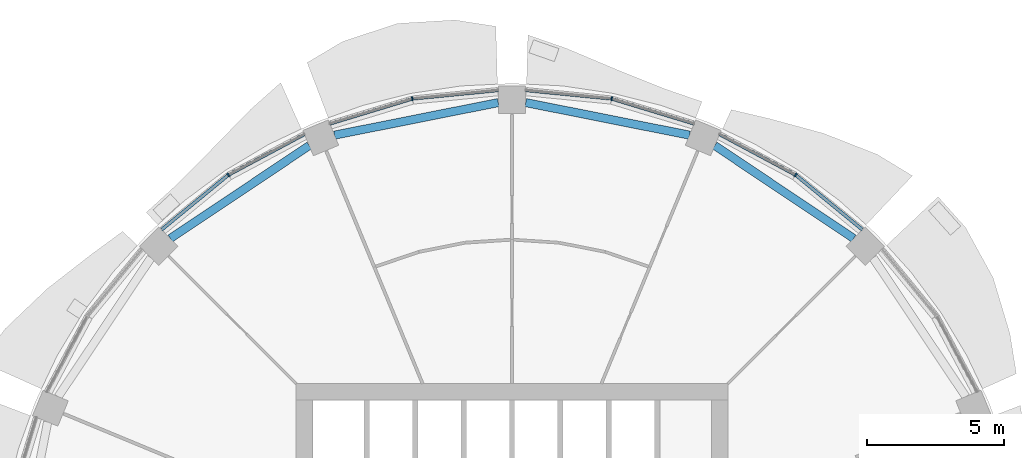
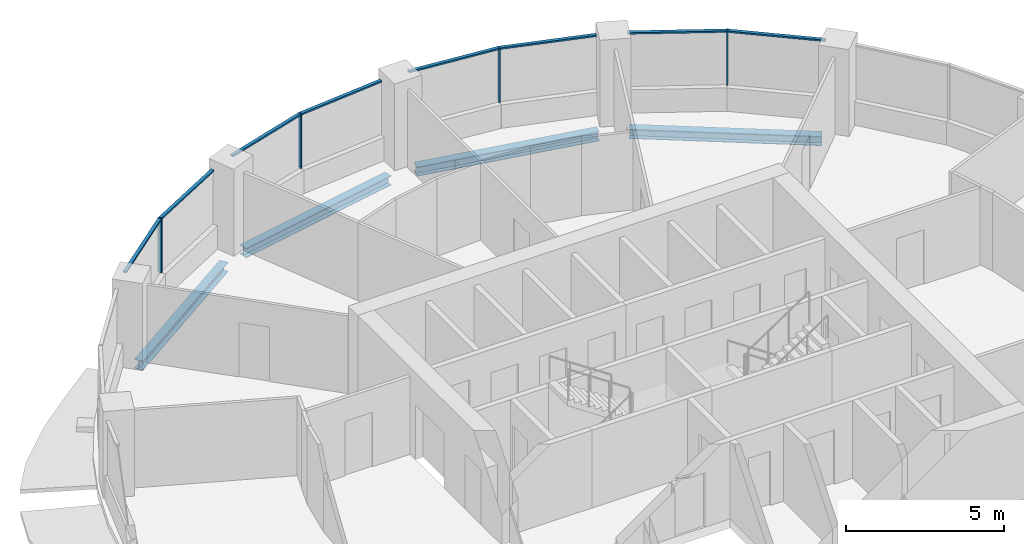
# One storey, part 6 of 15: 12 members, 4 beams, 4 elements without a shape of their own.
"""IFC4 building model written with IfcOpenShell, lengths in metres."""

from ifc_helpers import new_model, si_unit, direction, frame, origin, origin_2d, place, context, subcontext, project, spatial, rectangle, i_section, extrude, material, material_profile, profile_set, type_object, element, aggregate, save


model = new_model("IFC4")

# Units and contexts
model_context = context("Model", 3, precision=1e-05, world=origin(), true_north=direction((0.0, 1.0)))
body_context = subcontext(model_context, "Body", "Model", "MODEL_VIEW")
ifc_project = project(units=[si_unit("LENGTHUNIT", "METRE"), si_unit("AREAUNIT", "SQUARE_METRE"), si_unit("VOLUMEUNIT", "CUBIC_METRE"), si_unit("PLANEANGLEUNIT", "RADIAN"), si_unit("MASSUNIT", "GRAM", prefix="KILO")], contexts=[model_context])

# Site, building, storey
site_placement = place(None, origin())
site = spatial("IfcSite", under=ifc_project, at=site_placement, CompositionType="ELEMENT")
building_placement = place(site_placement, origin())
building = spatial("IfcBuilding", under=site, at=building_placement, Name="Polderwave Tower", CompositionType="ELEMENT")
storey_placement = place(building_placement, frame((0.0, 0.0, 157.800048828125)))
storey = spatial("IfcBuildingStorey", under=building, at=storey_placement, Name="L42", CompositionType="ELEMENT", Elevation=157.800048828125)

# Curtain wall, member
ifc_material_1 = material(Name="Aluminium 6063-T6 and glass", Category="aluminium")
curtain_wall_type = type_object("IfcCurtainWallType", Name="Office ribbon glazing wall", PredefinedType="NOTDEFINED", material=ifc_material_1)
curtain_wall_1_placement = place(storey_placement, origin())
curtain_wall_1 = element("IfcCurtainWall", 1, at=curtain_wall_1_placement, inside=storey, type_object=curtain_wall_type, Name="CW3 L42 02", PredefinedType="NOTDEFINED")
ifc_material_2 = material(Name="Aluminium 6063-T6", Category="aluminium")
ifc_material_profile_1 = material_profile(ifc_material_2, rectangle(XDim=0.139892578125, YDim=0.054931640625, at=origin_2d()), Name="AL 55x140")
ifc_profile_set_1 = profile_set([ifc_material_profile_1], Name="Aluminium 6063-T6")
member_type_1 = type_object("IfcMemberType", Name="Office ribbon glazing mullion 55x140", PredefinedType="MULLION", material=ifc_profile_set_1)
member_1_placement = place(storey_placement, frame((10.35009765625, 15.489990234375, 0.89990234375), z_axis=(0.0, 0.0, 1.0), x_axis=(-0.555548465006, -0.831484156812, 0.0)))
member_1 = element("IfcMember", 2, at=member_1_placement, type_object=member_type_1, Name="CW3 mullion 1", PredefinedType="MULLION", context=body_context, shape_type="SweptSolid", body=[
    extrude(rectangle(XDim=0.139892578125, YDim=0.054931640625, at=origin_2d()), origin(), (0.0, 0.0, 1.0), 2.10009765625),
])

curtain_wall_2_placement = place(storey_placement, origin())
curtain_wall_2 = element("IfcCurtainWall", 3, at=curtain_wall_2_placement, inside=storey, type_object=curtain_wall_type, Name="CW3 L42 03", PredefinedType="NOTDEFINED")
member_2_placement = place(storey_placement, frame((3.635009765625, 18.27197265625, 0.89990234375), z_axis=(0.0, 0.0, 1.0), x_axis=(-0.195083474838, -0.980786642367, 0.0)))
member_2 = element("IfcMember", 4, at=member_2_placement, type_object=member_type_1, Name="CW3 mullion 1", PredefinedType="MULLION", context=body_context, shape_type="SweptSolid", body=[
    extrude(rectangle(XDim=0.139892578125, YDim=0.054931640625, at=origin_2d()), origin(), (0.0, 0.0, 1.0), 2.10009765625),
])

curtain_wall_3_placement = place(storey_placement, origin())
curtain_wall_3 = element("IfcCurtainWall", 5, at=curtain_wall_3_placement, inside=storey, type_object=curtain_wall_type, Name="CW3 L42 04", PredefinedType="NOTDEFINED")
member_3_placement = place(storey_placement, frame((-3.635009765625, 18.27197265625, 0.89990234375), z_axis=(0.0, 0.0, 1.0), x_axis=(0.195083474838, -0.980786642367, 0.0)))
member_3 = element("IfcMember", 6, at=member_3_placement, type_object=member_type_1, Name="CW3 mullion 1", PredefinedType="MULLION", context=body_context, shape_type="SweptSolid", body=[
    extrude(rectangle(XDim=0.139892578125, YDim=0.054931640625, at=origin_2d()), origin(), (0.0, 0.0, 1.0), 2.10009765625),
])

curtain_wall_4_placement = place(storey_placement, origin())
curtain_wall_4 = element("IfcCurtainWall", 7, at=curtain_wall_4_placement, inside=storey, type_object=curtain_wall_type, Name="CW3 L42 05", PredefinedType="NOTDEFINED")
member_4_placement = place(storey_placement, frame((-10.35009765625, 15.489990234375, 0.89990234375), z_axis=(0.0, 0.0, 1.0), x_axis=(0.555548465006, -0.831484156812, 0.0)))
member_4 = element("IfcMember", 8, at=member_4_placement, type_object=member_type_1, Name="CW3 mullion 1", PredefinedType="MULLION", context=body_context, shape_type="SweptSolid", body=[
    extrude(rectangle(XDim=0.139892578125, YDim=0.054931640625, at=origin_2d()), origin(), (0.0, 0.0, 1.0), 2.10009765625),
])

# Member
ifc_material_profile_2 = material_profile(ifc_material_2, rectangle(XDim=0.1201171875, YDim=0.06005859375, at=origin_2d()), Name="AL 60x120")
ifc_profile_set_2 = profile_set([ifc_material_profile_2], Name="Aluminium 6063-T6")
member_type_2 = type_object("IfcMemberType", Name="Office ribbon glazing transom 60x120", PredefinedType="USERDEFINED", material=ifc_profile_set_2)
member_5_placement = place(storey_placement, frame((12.784912109375, 13.491943359375, 2.969970703125), z_axis=(-0.773019292913, 0.634382512988, 0.0), x_axis=(-0.634382512988, -0.773019292913, 0.0)))
member_5 = element("IfcMember", 9, at=member_5_placement, type_object=member_type_2, Name="CW3 transom 1", ObjectType="TRANSOM", PredefinedType="USERDEFINED", context=body_context, shape_type="SweptSolid", body=[
    extrude(rectangle(XDim=0.1201171875, YDim=0.06005859375, at=origin_2d()), origin(), (0.0, 0.0, 1.0), 3.122314453125),
])

member_6_placement = place(storey_placement, frame((10.32568359375, 15.5029296875, 2.969970703125), z_axis=(-0.881880665153, 0.471472684712, 0.0), x_axis=(-0.471472684712, -0.881880665153, 0.0)))
member_6 = element("IfcMember", 10, at=member_6_placement, type_object=member_type_2, Name="CW3 transom 2", ObjectType="TRANSOM", PredefinedType="USERDEFINED", context=body_context, shape_type="SweptSolid", body=[
    extrude(rectangle(XDim=0.1201171875, YDim=0.06005859375, at=origin_2d()), origin(), (0.0, 0.0, 1.0), 3.12255859375),
])

aggregate(curtain_wall_1, [member_1, member_5, member_6])

member_7_placement = place(storey_placement, frame((6.64892578125, 17.35791015625, 2.969970703125), z_axis=(-0.956963215555, 0.290209241883, 0.0), x_axis=(-0.290209241883, -0.956963215555, 0.0)))
member_7 = element("IfcMember", 11, at=member_7_placement, type_object=member_type_2, Name="CW3 transom 1", ObjectType="TRANSOM", PredefinedType="USERDEFINED", context=body_context, shape_type="SweptSolid", body=[
    extrude(rectangle(XDim=0.1201171875, YDim=0.06005859375, at=origin_2d()), origin(), (0.0, 0.0, 1.0), 3.121826171875),
])

member_8_placement = place(storey_placement, frame((3.607666015625, 18.274658203125, 2.969970703125), z_axis=(-0.995174785119, 0.098118026186, 0.0), x_axis=(-0.098118026186, -0.995174785119, 0.0)))
member_8 = element("IfcMember", 12, at=member_8_placement, type_object=member_type_2, Name="CW3 transom 2", ObjectType="TRANSOM", PredefinedType="USERDEFINED", context=body_context, shape_type="SweptSolid", body=[
    extrude(rectangle(XDim=0.1201171875, YDim=0.06005859375, at=origin_2d()), origin(), (0.0, 0.0, 1.0), 3.122802734375),
])

aggregate(curtain_wall_2, [member_2, member_7, member_8])

member_9_placement = place(storey_placement, frame((-0.5, 18.5810546875, 2.969970703125), z_axis=(-0.995174785119, -0.098118026186, 0.0), x_axis=(0.098118026186, -0.995174785119, 0.0)))
member_9 = element("IfcMember", 13, at=member_9_placement, type_object=member_type_2, Name="CW3 transom 1", ObjectType="TRANSOM", PredefinedType="USERDEFINED", context=body_context, shape_type="SweptSolid", body=[
    extrude(rectangle(XDim=0.1201171875, YDim=0.06005859375, at=origin_2d()), origin(), (0.0, 0.0, 1.0), 3.122802734375),
])

member_10_placement = place(storey_placement, frame((-3.661376953125, 18.263916015625, 2.969970703125), z_axis=(-0.956963215555, -0.290209241883, 0.0), x_axis=(0.290209241883, -0.956963215555, 0.0)))
member_10 = element("IfcMember", 14, at=member_10_placement, type_object=member_type_2, Name="CW3 transom 2", ObjectType="TRANSOM", PredefinedType="USERDEFINED", context=body_context, shape_type="SweptSolid", body=[
    extrude(rectangle(XDim=0.1201171875, YDim=0.06005859375, at=origin_2d()), origin(), (0.0, 0.0, 1.0), 3.121826171875),
])

aggregate(curtain_wall_3, [member_3, member_9, member_10])

member_11_placement = place(storey_placement, frame((-7.572021484375, 16.97509765625, 2.969970703125), z_axis=(-0.881880665153, -0.471472684712, 0.0), x_axis=(0.471472684712, -0.881880665153, 0.0)))
member_11 = element("IfcMember", 15, at=member_11_placement, type_object=member_type_2, Name="CW3 transom 1", ObjectType="TRANSOM", PredefinedType="USERDEFINED", context=body_context, shape_type="SweptSolid", body=[
    extrude(rectangle(XDim=0.1201171875, YDim=0.06005859375, at=origin_2d()), origin(), (0.0, 0.0, 1.0), 3.12255859375),
])

member_12_placement = place(storey_placement, frame((-10.371337890625, 15.47265625, 2.969970703125), z_axis=(-0.773019292913, -0.634382512988, 0.0), x_axis=(0.634382512988, -0.773019292913, 0.0)))
member_12 = element("IfcMember", 16, at=member_12_placement, type_object=member_type_2, Name="CW3 transom 2", ObjectType="TRANSOM", PredefinedType="USERDEFINED", context=body_context, shape_type="SweptSolid", body=[
    extrude(rectangle(XDim=0.1201171875, YDim=0.06005859375, at=origin_2d()), origin(), (0.0, 0.0, 1.0), 3.122314453125),
])

aggregate(curtain_wall_4, [member_4, member_11, member_12])

# Beams
ifc_material_3 = material(Name="Steel S355", Category="steel")
ifc_material_profile_3 = material_profile(ifc_material_3, i_section(OverallWidth=0.300048828125, OverallDepth=0.360107421875, WebThickness=0.012451171875, FlangeThickness=0.0224609375, at=origin_2d()), Name="HE 360 B")
ifc_profile_set_3 = profile_set([ifc_material_profile_3], Name="Steel S355")
beam_type = type_object("IfcBeamType", Name="RING BEAM HE 360 B", PredefinedType="BEAM", material=ifc_profile_set_3)
for number, where, z_axis, x_axis, name in (
    (17, (12.466796875, 13.173828125, -0.530029296875), (-0.831482776251, 0.555550531273, 0.0), (-0.555550531273, -0.831482776251, 0.0), "ST-RB-L42-02"),
    (18, (6.476318359375, 16.94189453125, -0.530029296875), (-0.980786628445, 0.19508354483, 0.0), (-0.19508354483, -0.980786628445, 0.0), "ST-RB-L42-03"),
    (19, (-0.5, 18.130615234375, -0.530029296875), (-0.980786628445, -0.19508354483, 0.0), (0.19508354483, -0.980786628445, 0.0), "ST-RB-L42-04"),
    (20, (-7.400146484375, 16.55908203125, -0.530029296875), (-0.831482776251, -0.555550531273, 0.0), (0.555550531273, -0.831482776251, 0.0), "ST-RB-L42-05"),
):
    element("IfcBeam", number, at=place(storey_placement, frame(where, z_axis=z_axis, x_axis=x_axis)), inside=storey, type_object=beam_type, Name=name, PredefinedType="BEAM", context=body_context, shape_type="SweptSolid", body=[
        extrude(i_section(OverallWidth=0.300048828125, OverallDepth=0.360107421875, WebThickness=0.012451171875, FlangeThickness=0.0224609375, at=origin_2d()), origin(), (0.0, 0.0, 1.0), 6.093505859375),
    ])

save(model, "model.ifc")
